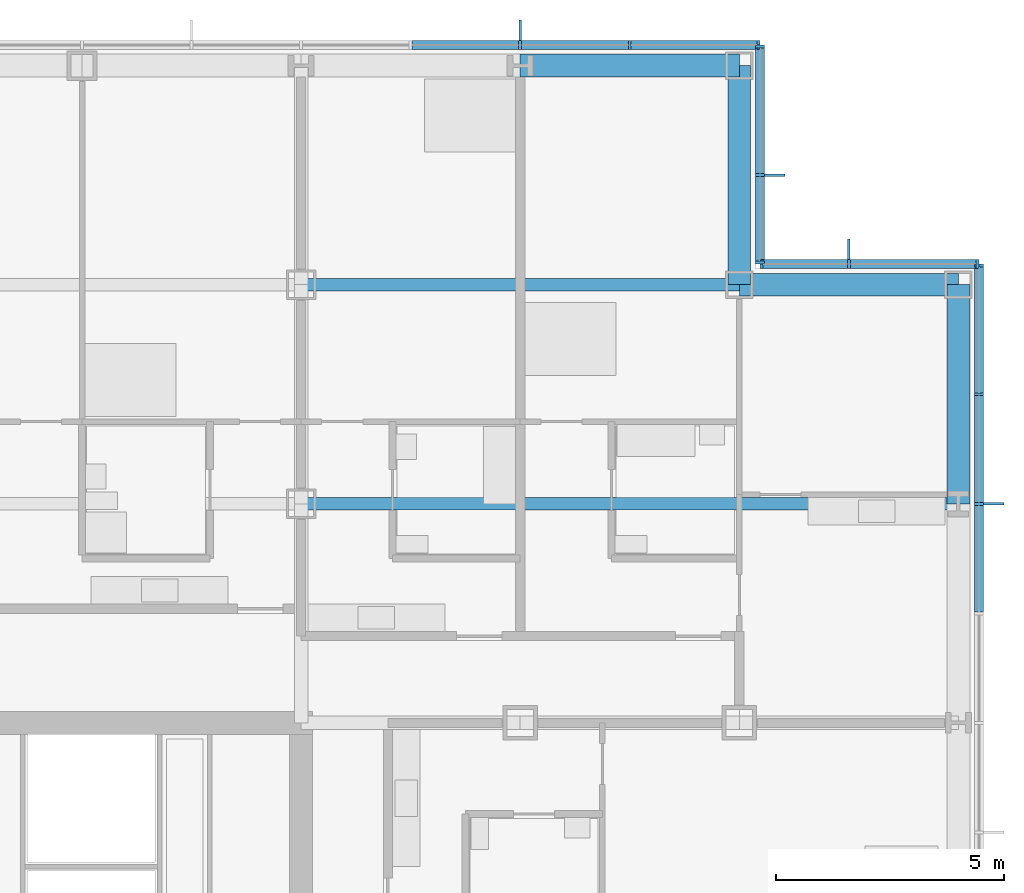
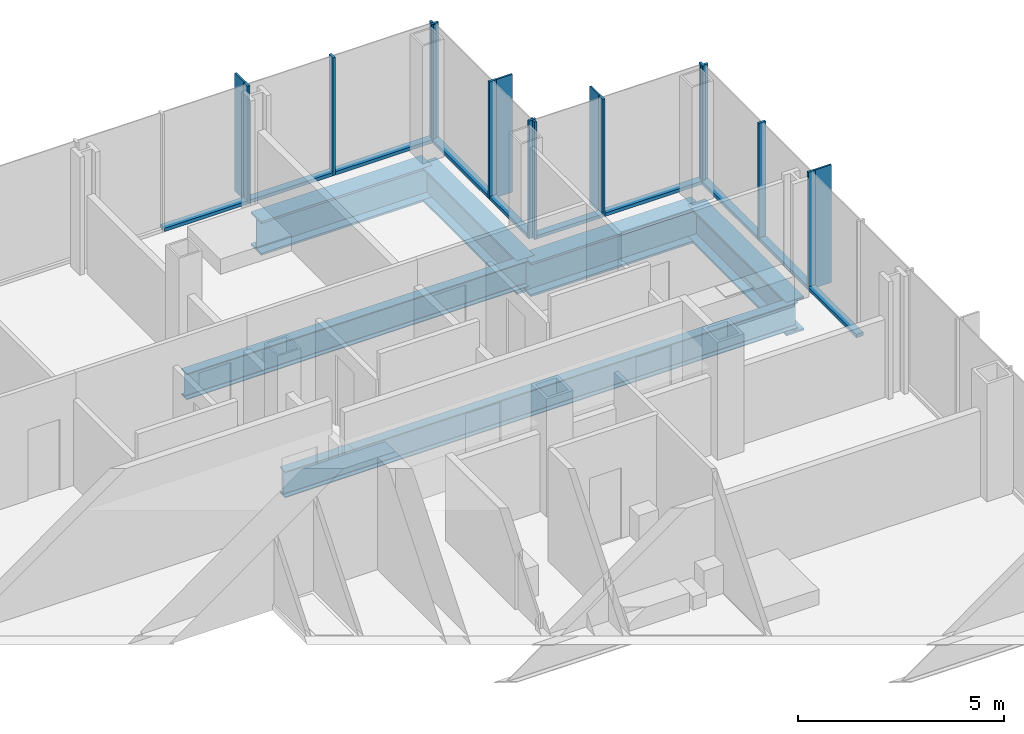
# One storey, part 11 of 21: 26 members, 6 beams, 4 elements without a shape of their own.
"""IFC4 building model written with IfcOpenShell, lengths in metres."""

import ifcopenshell
import ifcopenshell.guid

model = None  # the IFC model being written
_history = None  # IfcOwnerHistory: only IFC2X3 demands one
_inside = {}  # id of a spatial element -> (the spatial element, [elements in it])
_under = {}  # id of a project, library or spatial element -> (it, [spatial elements below it])
_declared = {}  # id of a project -> (the project, [libraries it declares])
_typed = {}  # id of a type object -> (the type object, [elements of that type])
_made_of = {}  # id of a material, layer set ... -> (it, [elements and type objects made of it])


def new_model(schema):
    """Start an empty IFC model of exactly this schema.

    Asked for "IFC4X3", IfcOpenShell would pick the latest addendum, in which some entities
    have other attributes; the version numbers below select the first issue.
    IFC2X3 requires an IfcOwnerHistory on every rooted entity: one is made here for all.
    """
    global model, _history
    if schema == "IFC4X3":
        model = ifcopenshell.file(schema_version=(4, 3, 0, 0))
    else:
        model = ifcopenshell.file(schema=schema)
    _inside.clear()
    _under.clear()
    _declared.clear()
    _typed.clear()
    _made_of.clear()
    _history = None
    if model.schema == "IFC2X3":
        org = make("IfcOrganization", Name="unknown")
        user = make(
            "IfcPersonAndOrganization",
            ThePerson=make("IfcPerson", FamilyName="unknown"),
            TheOrganization=org,
        )
        app = make(
            "IfcApplication",
            ApplicationDeveloper=org,
            Version="unknown",
            ApplicationFullName="unknown",
            ApplicationIdentifier="unknown",
        )
        _history = make(
            "IfcOwnerHistory",
            OwningUser=user,
            OwningApplication=app,
            ChangeAction="ADDED",
            CreationDate=0,
        )
    return model


def make(cls, **values):
    """One entity of the class cls with the attributes given. An attribute that is None is left unset."""
    return model.create_entity(
        cls, **{name: value for name, value in values.items() if value is not None}
    )


def rooted(cls, **values):
    """An entity with a GlobalId (a new one), such as an element, a storey or a relation."""
    return make(cls, GlobalId=ifcopenshell.guid.new(), OwnerHistory=_history, **values)


def si_unit(unit_type, name, prefix=None):
    """IfcSIUnit, for example si_unit("LENGTHUNIT", "METRE", prefix="MILLI")."""
    return make("IfcSIUnit", UnitType=unit_type, Prefix=prefix, Name=name)


def assignment(units):
    """IfcUnitAssignment: the units of a project."""
    return None if units is None else make("IfcUnitAssignment", Units=units)


def point(xyz):
    """IfcCartesianPoint."""
    return None if xyz is None else make("IfcCartesianPoint", Coordinates=xyz)


def direction(xyz):
    """IfcDirection."""
    return None if xyz is None else make("IfcDirection", DirectionRatios=xyz)


def frame(location, z_axis=None, x_axis=None):
    """IfcAxis2Placement3D, a coordinate frame: its origin and axes. An axis left out is left unset."""
    return make(
        "IfcAxis2Placement3D",
        Location=point(location),
        Axis=direction(z_axis),
        RefDirection=direction(x_axis),
    )


def frame_2d(location, x_axis=None):
    """IfcAxis2Placement2D, a coordinate frame in the plane: its origin and x axis."""
    return make(
        "IfcAxis2Placement2D", Location=point(location), RefDirection=direction(x_axis)
    )


def origin():
    """The frame at (0, 0, 0) with its axes left unset."""
    return frame((0.0, 0.0, 0.0))


def origin_2d():
    """The frame at (0, 0) in the plane with its x axis left unset."""
    return frame_2d((0.0, 0.0))


def place(relative_to, where):
    """IfcLocalPlacement: puts the frame where relative to a parent placement (None: the world)."""
    return make(
        "IfcLocalPlacement", PlacementRelTo=relative_to, RelativePlacement=where
    )


def context(
    kind, dimensions, precision=None, world=None, true_north=None, identifier=None
):
    """IfcGeometricRepresentationContext, for example the 3D "Model" context."""
    return make(
        "IfcGeometricRepresentationContext",
        ContextIdentifier=identifier,
        ContextType=kind,
        CoordinateSpaceDimension=dimensions,
        Precision=precision,
        WorldCoordinateSystem=world,
        TrueNorth=true_north,
    )


def subcontext(parent, identifier, kind, view, scale=None):
    """IfcGeometricRepresentationSubContext, for example "Body" below "Model"."""
    return make(
        "IfcGeometricRepresentationSubContext",
        ContextIdentifier=identifier,
        ContextType=kind,
        ParentContext=parent,
        TargetScale=scale,
        TargetView=view,
    )


def project(units=None, contexts=None):
    """IfcProject with its units and contexts."""
    return rooted(
        "IfcProject",
        Name="project",
        RepresentationContexts=contexts,
        UnitsInContext=assignment(units),
    )


def spatial(cls, under=None, at=None, **own):
    """A site, building, storey or space (cls), placed at a placement, below another one or the project."""
    s = rooted(cls, ObjectPlacement=at, **own)
    if under is not None:
        _under.setdefault(under.id(), (under, []))[1].append(s)
    return s


def profile(cls, at=None, kind="AREA", **sizes):
    """A parametric profile (cls). Its sizes go by their IFC names, for example OverallWidth=200.0."""
    return make(cls, ProfileType=kind, Position=at, **sizes)


def rectangle(**sizes):
    """IfcRectangleProfileDef."""
    return profile("IfcRectangleProfileDef", **sizes)


def i_section(**sizes):
    """IfcIShapeProfileDef."""
    return profile("IfcIShapeProfileDef", **sizes)


def extrude(swept, where, along, depth):
    """IfcExtrudedAreaSolid: the profile swept, set in the frame where, extruded along a direction by depth."""
    return make(
        "IfcExtrudedAreaSolid",
        SweptArea=swept,
        Position=where,
        ExtrudedDirection=direction(along),
        Depth=depth,
    )


def shape(context_of_items, identifier, shape_type, items):
    """IfcShapeRepresentation: the items that make up one representation, for example the "Body"."""
    return make(
        "IfcShapeRepresentation",
        ContextOfItems=context_of_items,
        RepresentationIdentifier=identifier,
        RepresentationType=shape_type,
        Items=items,
    )


def material(Name=None, Category=None):
    """IfcMaterial."""
    return make("IfcMaterial", Name=Name, Category=Category)


def material_profile(
    of_material, cross_section, Name=None, Category=None, Priority=None
):
    """IfcMaterialProfile: a cross section and its material."""
    return make(
        "IfcMaterialProfile",
        Name=Name,
        Material=of_material,
        Profile=cross_section,
        Priority=Priority,
        Category=Category,
    )


def profile_set(profiles, Name=None, composite=None):
    """IfcMaterialProfileSet."""
    return make(
        "IfcMaterialProfileSet",
        Name=Name,
        MaterialProfiles=profiles,
        CompositeProfile=composite,
    )


def made_of(thing, what):
    """Note that an element or type object is made of a material, layer set ...; save() writes the relation."""
    if what is not None:
        _made_of.setdefault(what.id(), (what, []))[1].append(thing)
    return thing


def type_object(cls, material=None, **own):
    """A type object (cls), such as IfcWallType, which elements share."""
    return made_of(rooted(cls, **own), material)


def element(
    cls,
    number,
    at=None,
    inside=None,
    cuts=None,
    type_object=None,
    material=None,
    context=None,
    identifier="Body",
    shape_type=None,
    held_by="IfcProductDefinitionShape",
    body=None,
    shapes=None,
    **own,
):
    """One element of the class cls, such as IfcWall. Its Tag is "e" and its number.

    at: its placement. inside: the storey or other place that contains it. cuts: it is an
    opening in that element (IfcRelVoidsElement). A single representation is given by context,
    identifier, shape_type and body (its items); several are given by shapes. held_by: the class
    of the entity that holds the representations. save() writes the other relations.
    """
    e = rooted(cls, Tag="e%d" % number, ObjectPlacement=at, **own)
    if body is not None:
        shapes = [shape(context, identifier, shape_type, body)]
    if shapes is not None:
        e.Representation = make(held_by, Representations=shapes)
    if inside is not None:
        _inside.setdefault(inside.id(), (inside, []))[1].append(e)
    if cuts is not None:
        rooted(
            "IfcRelVoidsElement", RelatingBuildingElement=cuts, RelatedOpeningElement=e
        )
    if type_object is not None:
        _typed.setdefault(type_object.id(), (type_object, []))[1].append(e)
    return made_of(e, material)


def aggregate(whole, parts):
    """IfcRelAggregates: a whole, such as a stair, and the parts it consists of."""
    return rooted("IfcRelAggregates", RelatingObject=whole, RelatedObjects=parts)


def save(model, path):
    """Write the relations noted so far, then the file.

    IfcRelAggregates (storeys below a building ...), IfcRelContainedInSpatialStructure (elements
    in a storey), IfcRelDefinesByType, IfcRelAssociatesMaterial and IfcRelDeclares: one each for
    every whole, place, type object, material and project.
    """
    for whole, parts in _under.values():
        aggregate(whole, parts)
    for where, things in _inside.values():
        rooted(
            "IfcRelContainedInSpatialStructure",
            RelatedElements=things,
            RelatingStructure=where,
        )
    for kind, things in _typed.values():
        rooted("IfcRelDefinesByType", RelatedObjects=things, RelatingType=kind)
    for what, things in _made_of.values():
        rooted("IfcRelAssociatesMaterial", RelatedObjects=things, RelatingMaterial=what)
    for by, libraries in _declared.values():
        rooted("IfcRelDeclares", RelatingContext=by, RelatedDefinitions=libraries)
    model.write(path)


model = new_model("IFC4")

# Units and contexts
model_context = context("Model", 3, precision=1e-05, world=origin(), true_north=direction((0.0, 1.0)))
body_context = subcontext(model_context, "Body", "Model", "MODEL_VIEW")
ifc_project = project(units=[si_unit("LENGTHUNIT", "METRE"), si_unit("AREAUNIT", "SQUARE_METRE"), si_unit("VOLUMEUNIT", "CUBIC_METRE"), si_unit("PLANEANGLEUNIT", "RADIAN"), si_unit("MASSUNIT", "GRAM", prefix="KILO")], contexts=[model_context])

# Site, building, storey
site_placement = place(None, origin())
site = spatial("IfcSite", under=ifc_project, at=site_placement, CompositionType="ELEMENT")
building_placement = place(site_placement, origin())
building = spatial("IfcBuilding", under=site, at=building_placement, Name="Kvirike Care Tower", CompositionType="ELEMENT")
storey_placement = place(building_placement, frame((0.0, 0.0, 41.0)))
storey = spatial("IfcBuildingStorey", under=building, at=storey_placement, Name="L10", CompositionType="ELEMENT", Elevation=41.0)

# Curtain wall, member
ifc_material_1 = material(Name="Anodised aluminium stick system", Category="aluminium")
curtain_wall_type = type_object("IfcCurtainWallType", Name="CW-A STICK CURTAIN WALL", PredefinedType="NOTDEFINED", material=ifc_material_1)
curtain_wall_1_placement = place(storey_placement, origin())
curtain_wall_1 = element("IfcCurtainWall", 1, at=curtain_wall_1_placement, inside=storey, type_object=curtain_wall_type, Name="Curtain wall L10 face 7", PredefinedType="NOTDEFINED")
ifc_material_2 = material(Name="Bronze anodised aluminium fin", Category="aluminium")
ifc_material_profile_1 = material_profile(ifc_material_2, rectangle(XDim=0.050048828125, YDim=0.449951171875, at=origin_2d()), Name="BRONZE FIN 450")
ifc_profile_set_1 = profile_set([ifc_material_profile_1], Name="Bronze anodised aluminium fin")
member_type_1 = type_object("IfcMemberType", Name="BRONZE FIN 450", PredefinedType="USERDEFINED", material=ifc_profile_set_1)
member_1_placement = place(storey_placement, frame((43.97509765625, 48.0, 0.0), z_axis=(0.0, 0.0, 1.0), x_axis=(0.0, 1.0, 0.0)))
member_1 = element("IfcMember", 2, at=member_1_placement, type_object=member_type_1, Name="Bronze fin L10 face 7.13", ObjectType="FIN", PredefinedType="USERDEFINED", context=body_context, shape_type="SweptSolid", body=[
    extrude(rectangle(XDim=0.050048828125, YDim=0.449951171875, at=origin_2d()), origin(), (0.0, 0.0, 1.0), 3.5),
])

curtain_wall_2_placement = place(storey_placement, origin())
curtain_wall_2 = element("IfcCurtainWall", 3, at=curtain_wall_2_placement, inside=storey, type_object=curtain_wall_type, Name="Curtain wall L10 face 8", PredefinedType="NOTDEFINED")
member_2_placement = place(storey_placement, frame((40.800048828125, 53.574951171875, 0.0), z_axis=(0.0, 0.0, 1.0), x_axis=(-1.0, 0.0, 0.0)))
member_2 = element("IfcMember", 4, at=member_2_placement, type_object=member_type_1, Name="Bronze fin L10 face 8.2", ObjectType="FIN", PredefinedType="USERDEFINED", context=body_context, shape_type="SweptSolid", body=[
    extrude(rectangle(XDim=0.050048828125, YDim=0.449951171875, at=origin_2d()), origin(), (0.0, 0.0, 1.0), 3.5),
])

curtain_wall_3_placement = place(storey_placement, origin())
curtain_wall_3 = element("IfcCurtainWall", 5, at=curtain_wall_3_placement, inside=storey, type_object=curtain_wall_type, Name="Curtain wall L10 face 9", PredefinedType="NOTDEFINED")
member_3_placement = place(storey_placement, frame((39.175048828125, 55.199951171875, 0.0), z_axis=(0.0, 0.0, 1.0), x_axis=(0.0, 1.0, 0.0)))
member_3 = element("IfcMember", 6, at=member_3_placement, type_object=member_type_1, Name="Bronze fin L10 face 9.2", ObjectType="FIN", PredefinedType="USERDEFINED", context=body_context, shape_type="SweptSolid", body=[
    extrude(rectangle(XDim=0.050048828125, YDim=0.449951171875, at=origin_2d()), origin(), (0.0, 0.0, 1.0), 3.5),
])

curtain_wall_4_placement = place(storey_placement, origin())
curtain_wall_4 = element("IfcCurtainWall", 7, at=curtain_wall_4_placement, inside=storey, type_object=curtain_wall_type, Name="Curtain wall L10 face 10", PredefinedType="NOTDEFINED")
member_4_placement = place(storey_placement, frame((33.60009765625, 58.375, 0.0), z_axis=(0.0, 0.0, 1.0), x_axis=(-1.0, 0.0, 0.0)))
member_4 = element("IfcMember", 8, at=member_4_placement, type_object=member_type_1, Name="Bronze fin L10 face 10.3", ObjectType="FIN", PredefinedType="USERDEFINED", context=body_context, shape_type="SweptSolid", body=[
    extrude(rectangle(XDim=0.050048828125, YDim=0.449951171875, at=origin_2d()), origin(), (0.0, 0.0, 1.0), 3.5),
])

# Member
ifc_material_3 = material(Name="Bronze anodised aluminium mullion", Category="aluminium")
ifc_material_profile_2 = material_profile(ifc_material_3, rectangle(XDim=0.06494140625, YDim=0.199951171875, at=origin_2d()), Name="CW-A MULLION 65x200")
ifc_profile_set_2 = profile_set([ifc_material_profile_2], Name="Bronze anodised aluminium mullion")
member_type_2 = type_object("IfcMemberType", Name="CW-A MULLION 65x200", PredefinedType="MULLION", material=ifc_profile_set_2)
member_5_placement = place(storey_placement, frame((43.64990234375, 48.0, 0.0), z_axis=(0.0, 0.0, 1.0), x_axis=(0.0, 1.0, 0.0)))
member_5 = element("IfcMember", 9, at=member_5_placement, type_object=member_type_2, Name="CW-A mullion L10 face 7.13", PredefinedType="MULLION", context=body_context, shape_type="SweptSolid", body=[
    extrude(rectangle(XDim=0.06494140625, YDim=0.199951171875, at=origin_2d()), origin(), (0.0, 0.0, 1.0), 3.5),
])

member_6_placement = place(storey_placement, frame((43.64990234375, 50.39990234375, 0.0), z_axis=(0.0, 0.0, 1.0), x_axis=(0.0, 1.0, 0.0)))
member_6 = element("IfcMember", 10, at=member_6_placement, type_object=member_type_2, Name="CW-A mullion L10 face 7.14", PredefinedType="MULLION", context=body_context, shape_type="SweptSolid", body=[
    extrude(rectangle(XDim=0.06494140625, YDim=0.199951171875, at=origin_2d()), origin(), (0.0, 0.0, 1.0), 3.5),
])

member_7_placement = place(storey_placement, frame((43.64990234375, 53.217529296875, 0.0), z_axis=(0.0, 0.0, 1.0), x_axis=(0.0, 1.0, 0.0)))
member_7 = element("IfcMember", 11, at=member_7_placement, type_object=member_type_2, Name="CW-A mullion L10 face 7.15", PredefinedType="MULLION", context=body_context, shape_type="SweptSolid", body=[
    extrude(rectangle(XDim=0.06494140625, YDim=0.199951171875, at=origin_2d()), origin(), (0.0, 0.0, 1.0), 3.5),
])

member_8_placement = place(storey_placement, frame((43.617431640625, 53.25, 0.0), z_axis=(0.0, 0.0, 1.0), x_axis=(-1.0, 0.0, 0.0)))
member_8 = element("IfcMember", 12, at=member_8_placement, type_object=member_type_2, Name="CW-A mullion L10 face 8.1", PredefinedType="MULLION", context=body_context, shape_type="SweptSolid", body=[
    extrude(rectangle(XDim=0.06494140625, YDim=0.199951171875, at=origin_2d()), origin(), (0.0, 0.0, 1.0), 3.5),
])

member_9_placement = place(storey_placement, frame((40.800048828125, 53.25, 0.0), z_axis=(0.0, 0.0, 1.0), x_axis=(-1.0, 0.0, 0.0)))
member_9 = element("IfcMember", 13, at=member_9_placement, type_object=member_type_2, Name="CW-A mullion L10 face 8.2", PredefinedType="MULLION", context=body_context, shape_type="SweptSolid", body=[
    extrude(rectangle(XDim=0.06494140625, YDim=0.199951171875, at=origin_2d()), origin(), (0.0, 0.0, 1.0), 3.5),
])

member_10_placement = place(storey_placement, frame((38.882568359375, 53.25, 0.0), z_axis=(0.0, 0.0, 1.0), x_axis=(-1.0, 0.0, 0.0)))
member_10 = element("IfcMember", 14, at=member_10_placement, type_object=member_type_2, Name="CW-A mullion L10 face 8.3", PredefinedType="MULLION", context=body_context, shape_type="SweptSolid", body=[
    extrude(rectangle(XDim=0.06494140625, YDim=0.199951171875, at=origin_2d()), origin(), (0.0, 0.0, 1.0), 3.5),
])

member_11_placement = place(storey_placement, frame((38.85009765625, 53.282470703125, 0.0), z_axis=(0.0, 0.0, 1.0), x_axis=(0.0, 1.0, 0.0)))
member_11 = element("IfcMember", 15, at=member_11_placement, type_object=member_type_2, Name="CW-A mullion L10 face 9.1", PredefinedType="MULLION", context=body_context, shape_type="SweptSolid", body=[
    extrude(rectangle(XDim=0.06494140625, YDim=0.199951171875, at=origin_2d()), origin(), (0.0, 0.0, 1.0), 3.5),
])

member_12_placement = place(storey_placement, frame((38.85009765625, 55.199951171875, 0.0), z_axis=(0.0, 0.0, 1.0), x_axis=(0.0, 1.0, 0.0)))
member_12 = element("IfcMember", 16, at=member_12_placement, type_object=member_type_2, Name="CW-A mullion L10 face 9.2", PredefinedType="MULLION", context=body_context, shape_type="SweptSolid", body=[
    extrude(rectangle(XDim=0.06494140625, YDim=0.199951171875, at=origin_2d()), origin(), (0.0, 0.0, 1.0), 3.5),
])

member_13_placement = place(storey_placement, frame((38.85009765625, 58.017578125, 0.0), z_axis=(0.0, 0.0, 1.0), x_axis=(0.0, 1.0, 0.0)))
member_13 = element("IfcMember", 17, at=member_13_placement, type_object=member_type_2, Name="CW-A mullion L10 face 9.3", PredefinedType="MULLION", context=body_context, shape_type="SweptSolid", body=[
    extrude(rectangle(XDim=0.06494140625, YDim=0.199951171875, at=origin_2d()), origin(), (0.0, 0.0, 1.0), 3.5),
])

member_14_placement = place(storey_placement, frame((38.8173828125, 58.050048828125, 0.0), z_axis=(0.0, 0.0, 1.0), x_axis=(-1.0, 0.0, 0.0)))
member_14 = element("IfcMember", 18, at=member_14_placement, type_object=member_type_2, Name="CW-A mullion L10 face 10.1", PredefinedType="MULLION", context=body_context, shape_type="SweptSolid", body=[
    extrude(rectangle(XDim=0.06494140625, YDim=0.199951171875, at=origin_2d()), origin(), (0.0, 0.0, 1.0), 3.5),
])

member_15_placement = place(storey_placement, frame((36.0, 58.050048828125, 0.0), z_axis=(0.0, 0.0, 1.0), x_axis=(-1.0, 0.0, 0.0)))
member_15 = element("IfcMember", 19, at=member_15_placement, type_object=member_type_2, Name="CW-A mullion L10 face 10.2", PredefinedType="MULLION", context=body_context, shape_type="SweptSolid", body=[
    extrude(rectangle(XDim=0.06494140625, YDim=0.199951171875, at=origin_2d()), origin(), (0.0, 0.0, 1.0), 3.5),
])

member_16_placement = place(storey_placement, frame((33.60009765625, 58.050048828125, 0.0), z_axis=(0.0, 0.0, 1.0), x_axis=(-1.0, 0.0, 0.0)))
member_16 = element("IfcMember", 20, at=member_16_placement, type_object=member_type_2, Name="CW-A mullion L10 face 10.3", PredefinedType="MULLION", context=body_context, shape_type="SweptSolid", body=[
    extrude(rectangle(XDim=0.06494140625, YDim=0.199951171875, at=origin_2d()), origin(), (0.0, 0.0, 1.0), 3.5),
])

ifc_material_4 = material(Name="Bronze anodised aluminium transom", Category="aluminium")
ifc_material_profile_3 = material_profile(ifc_material_4, rectangle(XDim=0.199951171875, YDim=0.10009765625, at=origin_2d()), Name="CW-A TRANSOM 200x100")
ifc_profile_set_3 = profile_set([ifc_material_profile_3], Name="Bronze anodised aluminium transom")
member_type_3 = type_object("IfcMemberType", Name="CW-A TRANSOM 200x100", PredefinedType="USERDEFINED", material=ifc_profile_set_3)
member_17_placement = place(storey_placement, frame((43.64990234375, 45.632568359375, 0.050048828125), z_axis=(0.0, 1.0, 0.0), x_axis=(-1.0, 0.0, 0.0)))
member_17 = element("IfcMember", 21, at=member_17_placement, type_object=member_type_3, Name="CW-A sill transom L10 face 7.12", ObjectType="TRANSOM", PredefinedType="USERDEFINED", context=body_context, shape_type="SweptSolid", body=[
    extrude(rectangle(XDim=0.199951171875, YDim=0.10009765625, at=origin_2d()), origin(), (0.0, 0.0, 1.0), 2.3349609375),
])

member_18_placement = place(storey_placement, frame((43.64990234375, 48.032470703125, 0.050048828125), z_axis=(0.0, 1.0, 0.0), x_axis=(-1.0, 0.0, 0.0)))
member_18 = element("IfcMember", 22, at=member_18_placement, type_object=member_type_3, Name="CW-A sill transom L10 face 7.13", ObjectType="TRANSOM", PredefinedType="USERDEFINED", context=body_context, shape_type="SweptSolid", body=[
    extrude(rectangle(XDim=0.199951171875, YDim=0.10009765625, at=origin_2d()), origin(), (0.0, 0.0, 1.0), 2.3349609375),
])

member_19_placement = place(storey_placement, frame((43.64990234375, 50.4326171875, 0.050048828125), z_axis=(0.0, 1.0, 0.0), x_axis=(-1.0, 0.0, 0.0)))
member_19 = element("IfcMember", 23, at=member_19_placement, type_object=member_type_3, Name="CW-A sill transom L10 face 7.14", ObjectType="TRANSOM", PredefinedType="USERDEFINED", context=body_context, shape_type="SweptSolid", body=[
    extrude(rectangle(XDim=0.199951171875, YDim=0.10009765625, at=origin_2d()), origin(), (0.0, 0.0, 1.0), 2.75244140625),
])

aggregate(curtain_wall_1, [member_5, member_1, member_6, member_7, member_17, member_18, member_19])

member_20_placement = place(storey_placement, frame((43.5849609375, 53.25, 0.050048828125), z_axis=(-1.0, 0.0, 0.0), x_axis=(0.0, -1.0, 0.0)))
member_20 = element("IfcMember", 24, at=member_20_placement, type_object=member_type_3, Name="CW-A sill transom L10 face 8.1", ObjectType="TRANSOM", PredefinedType="USERDEFINED", context=body_context, shape_type="SweptSolid", body=[
    extrude(rectangle(XDim=0.199951171875, YDim=0.10009765625, at=origin_2d()), origin(), (0.0, 0.0, 1.0), 2.75244140625),
])

member_21_placement = place(storey_placement, frame((40.767578125, 53.25, 0.050048828125), z_axis=(-1.0, 0.0, 0.0), x_axis=(0.0, -1.0, 0.0)))
member_21 = element("IfcMember", 25, at=member_21_placement, type_object=member_type_3, Name="CW-A sill transom L10 face 8.2", ObjectType="TRANSOM", PredefinedType="USERDEFINED", context=body_context, shape_type="SweptSolid", body=[
    extrude(rectangle(XDim=0.199951171875, YDim=0.10009765625, at=origin_2d()), origin(), (0.0, 0.0, 1.0), 1.8525390625),
])

aggregate(curtain_wall_2, [member_8, member_9, member_2, member_10, member_20, member_21])

member_22_placement = place(storey_placement, frame((38.85009765625, 53.31494140625, 0.050048828125), z_axis=(0.0, 1.0, 0.0), x_axis=(-1.0, 0.0, 0.0)))
member_22 = element("IfcMember", 26, at=member_22_placement, type_object=member_type_3, Name="CW-A sill transom L10 face 9.1", ObjectType="TRANSOM", PredefinedType="USERDEFINED", context=body_context, shape_type="SweptSolid", body=[
    extrude(rectangle(XDim=0.199951171875, YDim=0.10009765625, at=origin_2d()), origin(), (0.0, 0.0, 1.0), 1.8525390625),
])

member_23_placement = place(storey_placement, frame((38.85009765625, 55.232421875, 0.050048828125), z_axis=(0.0, 1.0, 0.0), x_axis=(-1.0, 0.0, 0.0)))
member_23 = element("IfcMember", 27, at=member_23_placement, type_object=member_type_3, Name="CW-A sill transom L10 face 9.2", ObjectType="TRANSOM", PredefinedType="USERDEFINED", context=body_context, shape_type="SweptSolid", body=[
    extrude(rectangle(XDim=0.199951171875, YDim=0.10009765625, at=origin_2d()), origin(), (0.0, 0.0, 1.0), 2.752685546875),
])

aggregate(curtain_wall_3, [member_11, member_12, member_3, member_13, member_22, member_23])

member_24_placement = place(storey_placement, frame((38.784912109375, 58.050048828125, 0.050048828125), z_axis=(-1.0, 0.0, 0.0), x_axis=(0.0, -1.0, 0.0)))
member_24 = element("IfcMember", 28, at=member_24_placement, type_object=member_type_3, Name="CW-A sill transom L10 face 10.1", ObjectType="TRANSOM", PredefinedType="USERDEFINED", context=body_context, shape_type="SweptSolid", body=[
    extrude(rectangle(XDim=0.199951171875, YDim=0.10009765625, at=origin_2d()), origin(), (0.0, 0.0, 1.0), 2.75244140625),
])

member_25_placement = place(storey_placement, frame((35.967529296875, 58.050048828125, 0.050048828125), z_axis=(-1.0, 0.0, 0.0), x_axis=(0.0, -1.0, 0.0)))
member_25 = element("IfcMember", 29, at=member_25_placement, type_object=member_type_3, Name="CW-A sill transom L10 face 10.2", ObjectType="TRANSOM", PredefinedType="USERDEFINED", context=body_context, shape_type="SweptSolid", body=[
    extrude(rectangle(XDim=0.199951171875, YDim=0.10009765625, at=origin_2d()), origin(), (0.0, 0.0, 1.0), 2.3349609375),
])

member_26_placement = place(storey_placement, frame((33.5673828125, 58.050048828125, 0.050048828125), z_axis=(-1.0, 0.0, 0.0), x_axis=(0.0, -1.0, 0.0)))
member_26 = element("IfcMember", 30, at=member_26_placement, type_object=member_type_3, Name="CW-A sill transom L10 face 10.3", ObjectType="TRANSOM", PredefinedType="USERDEFINED", context=body_context, shape_type="SweptSolid", body=[
    extrude(rectangle(XDim=0.199951171875, YDim=0.10009765625, at=origin_2d()), origin(), (0.0, 0.0, 1.0), 2.3349609375),
])

aggregate(curtain_wall_4, [member_14, member_15, member_16, member_4, member_24, member_25, member_26])

# Beams
ifc_material_5 = material(Name="Steel S355", Category="steel")
ifc_material_profile_4 = material_profile(ifc_material_5, i_section(OverallWidth=0.26806640625, OverallDepth=0.77001953125, WebThickness=0.015625, FlangeThickness=0.025390625, FilletRadius=0.01708984375, at=origin_2d()), Name="IPE 750x196")
ifc_profile_set_4 = profile_set([ifc_material_profile_4], Name="Steel S355")
beam_type_1 = type_object("IfcBeamType", Name="FLOOR BEAM IPE 750x196", PredefinedType="BEAM", material=ifc_profile_set_4)
beam_1_placement = place(storey_placement, frame((28.800048828125, 48.0, -0.554931640625), z_axis=(1.0, 0.0, 0.0), x_axis=(0.0, 1.0, 0.0)))
element("IfcBeam", 31, at=beam_1_placement, inside=storey, type_object=beam_type_1, Name="Floor Beam L9-L12 L10", PredefinedType="BEAM", context=body_context, shape_type="SweptSolid", body=[
    extrude(i_section(OverallWidth=0.26806640625, OverallDepth=0.77001953125, WebThickness=0.015625, FlangeThickness=0.025390625, FilletRadius=0.01708984375, at=origin_2d()), origin(), (0.0, 0.0, 1.0), 14.39990234375),
])
beam_2_placement = place(storey_placement, frame((28.800048828125, 52.800048828125, -0.554931640625), z_axis=(1.0, 0.0, 0.0), x_axis=(0.0, 1.0, 0.0)))
element("IfcBeam", 32, at=beam_2_placement, inside=storey, type_object=beam_type_1, Name="Floor Beam M9-M11 L10", PredefinedType="BEAM", context=body_context, shape_type="SweptSolid", body=[
    extrude(i_section(OverallWidth=0.26806640625, OverallDepth=0.77001953125, WebThickness=0.015625, FlangeThickness=0.025390625, FilletRadius=0.01708984375, at=origin_2d()), origin(), (0.0, 0.0, 1.0), 9.599853515625),
])
ifc_material_6 = material(Name="Steel S355", Category="steel")
ifc_material_profile_5 = material_profile(ifc_material_6, i_section(OverallWidth=0.5, OverallDepth=1.0, WebThickness=0.030029296875, FlangeThickness=0.06005859375, at=origin_2d()), Name="PG 1000x500x30x60")
ifc_profile_set_5 = profile_set([ifc_material_profile_5], Name="Steel S355")
beam_type_2 = type_object("IfcBeamType", Name="SPANDREL PG 1000x500x30x60", PredefinedType="SPANDREL", material=ifc_profile_set_5)
beam_3_placement = place(storey_placement, frame((38.39990234375, 52.800048828125, -0.669921875), z_axis=(1.0, 0.0, 0.0), x_axis=(0.0, 1.0, 0.0)))
element("IfcBeam", 33, at=beam_3_placement, inside=storey, type_object=beam_type_2, Name="Spandrel M11-M12 L10", PredefinedType="SPANDREL", context=body_context, shape_type="SweptSolid", body=[
    extrude(i_section(OverallWidth=0.5, OverallDepth=1.0, WebThickness=0.030029296875, FlangeThickness=0.06005859375, at=origin_2d()), origin(), (0.0, 0.0, 1.0), 4.800048828125),
])
beam_4_placement = place(storey_placement, frame((33.60009765625, 57.60009765625, -0.669921875), z_axis=(1.0, 0.0, 0.0), x_axis=(0.0, 1.0, 0.0)))
element("IfcBeam", 34, at=beam_4_placement, inside=storey, type_object=beam_type_2, Name="Spandrel N10-N11 L10", PredefinedType="SPANDREL", context=body_context, shape_type="SweptSolid", body=[
    extrude(i_section(OverallWidth=0.5, OverallDepth=1.0, WebThickness=0.030029296875, FlangeThickness=0.06005859375, at=origin_2d()), origin(), (0.0, 0.0, 1.0), 4.7998046875),
])
for number, where, z_axis, x_axis, name in (
    (35, (38.39990234375, 52.800048828125, -0.669921875), (0.0, 1.0, 0.0), (-1.0, 0.0, 0.0), "Spandrel M11-N11 L10"),
    (36, (43.199951171875, 48.0, -0.669921875), (0.0, 1.0, 0.0), (-1.0, 0.0, 0.0), "Spandrel L12-M12 L10"),
):
    element("IfcBeam", number, at=place(storey_placement, frame(where, z_axis=z_axis, x_axis=x_axis)), inside=storey, type_object=beam_type_2, Name=name, PredefinedType="SPANDREL", context=body_context, shape_type="SweptSolid", body=[
        extrude(i_section(OverallWidth=0.5, OverallDepth=1.0, WebThickness=0.030029296875, FlangeThickness=0.06005859375, at=origin_2d()), origin(), (0.0, 0.0, 1.0), 4.800048828125),
    ])

save(model, "model.ifc")
